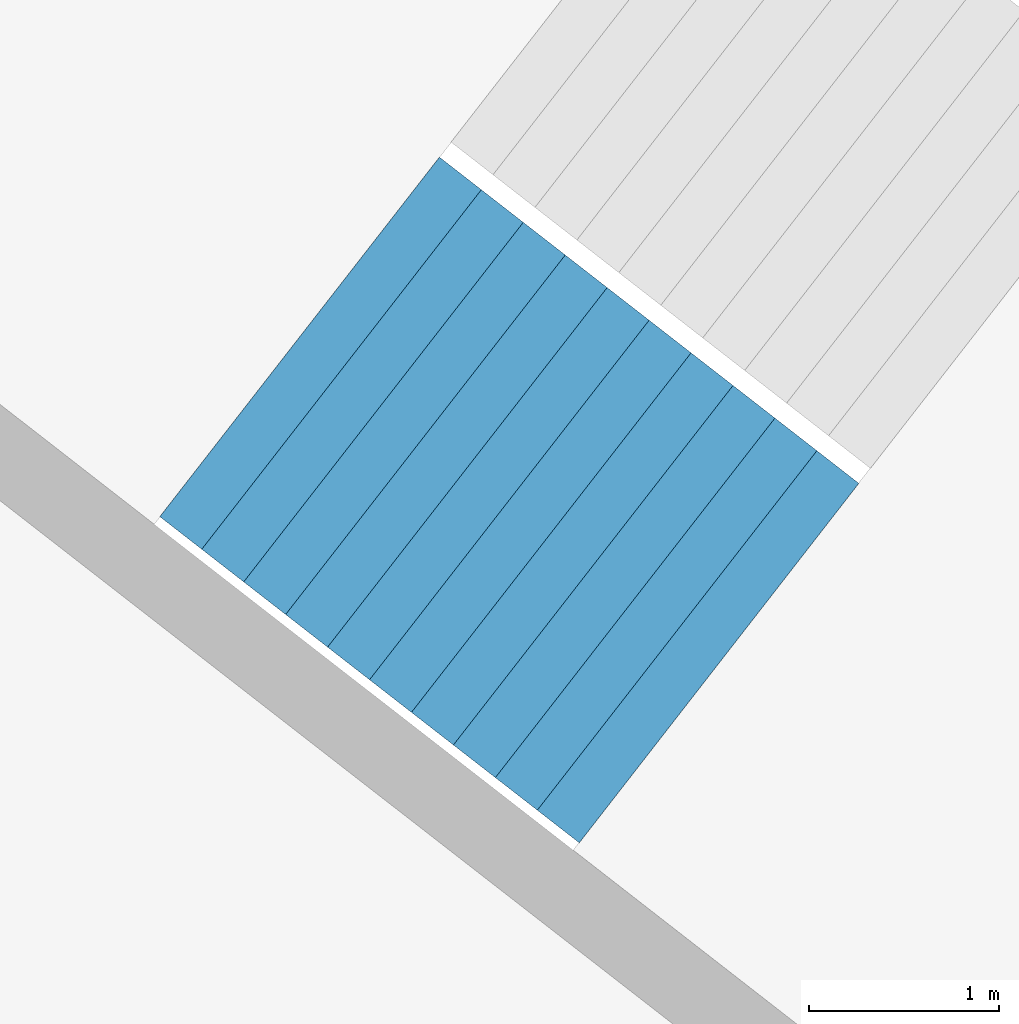
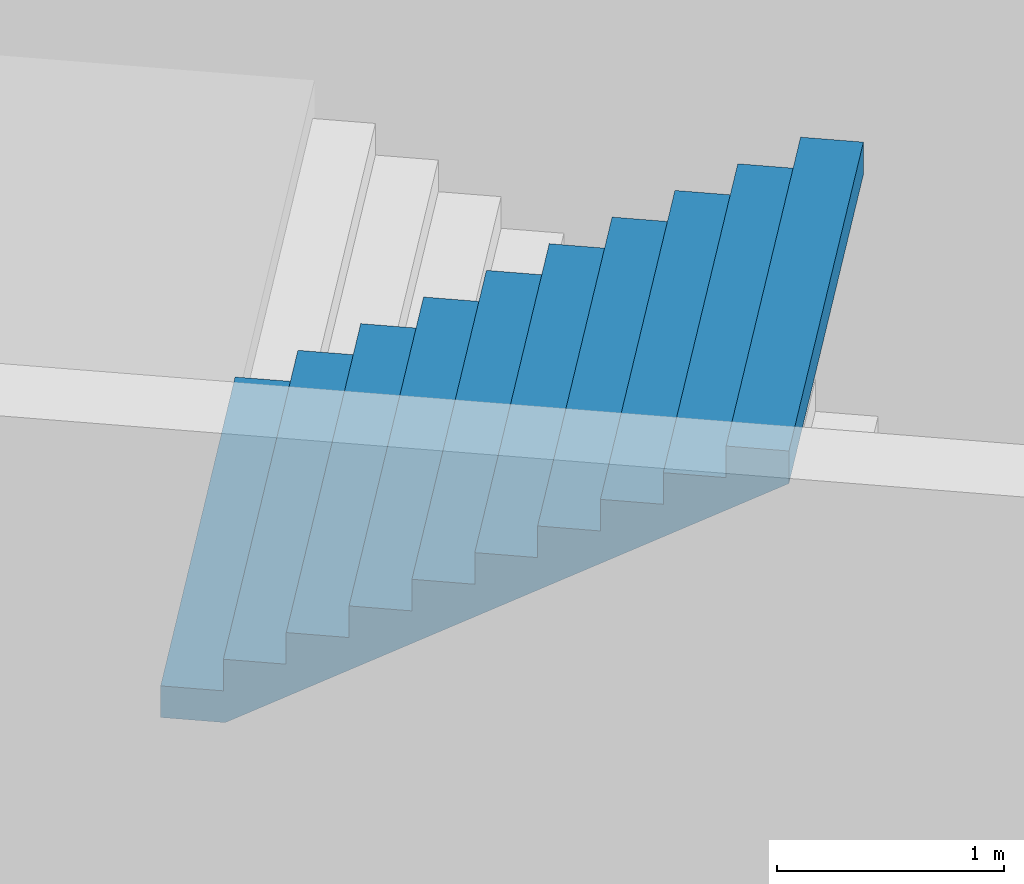
# One storey, part 38 of 73: 1 stair flight, 1 element without a shape of its own.
"""IFC4 building model written with IfcOpenShell, lengths in metres."""

import ifcopenshell
import ifcopenshell.guid

model = None  # the IFC model being written
_history = None  # IfcOwnerHistory: only IFC2X3 demands one
_inside = {}  # id of a spatial element -> (the spatial element, [elements in it])
_under = {}  # id of a project, library or spatial element -> (it, [spatial elements below it])
_declared = {}  # id of a project -> (the project, [libraries it declares])
_typed = {}  # id of a type object -> (the type object, [elements of that type])
_made_of = {}  # id of a material, layer set ... -> (it, [elements and type objects made of it])


def new_model(schema):
    """Start an empty IFC model of exactly this schema.

    Asked for "IFC4X3", IfcOpenShell would pick the latest addendum, in which some entities
    have other attributes; the version numbers below select the first issue.
    IFC2X3 requires an IfcOwnerHistory on every rooted entity: one is made here for all.
    """
    global model, _history
    if schema == "IFC4X3":
        model = ifcopenshell.file(schema_version=(4, 3, 0, 0))
    else:
        model = ifcopenshell.file(schema=schema)
    _inside.clear()
    _under.clear()
    _declared.clear()
    _typed.clear()
    _made_of.clear()
    _history = None
    if model.schema == "IFC2X3":
        org = make("IfcOrganization", Name="unknown")
        user = make(
            "IfcPersonAndOrganization",
            ThePerson=make("IfcPerson", FamilyName="unknown"),
            TheOrganization=org,
        )
        app = make(
            "IfcApplication",
            ApplicationDeveloper=org,
            Version="unknown",
            ApplicationFullName="unknown",
            ApplicationIdentifier="unknown",
        )
        _history = make(
            "IfcOwnerHistory",
            OwningUser=user,
            OwningApplication=app,
            ChangeAction="ADDED",
            CreationDate=0,
        )
    return model


def make(cls, **values):
    """One entity of the class cls with the attributes given. An attribute that is None is left unset."""
    return model.create_entity(
        cls, **{name: value for name, value in values.items() if value is not None}
    )


def rooted(cls, **values):
    """An entity with a GlobalId (a new one), such as an element, a storey or a relation."""
    return make(cls, GlobalId=ifcopenshell.guid.new(), OwnerHistory=_history, **values)


def si_unit(unit_type, name, prefix=None):
    """IfcSIUnit, for example si_unit("LENGTHUNIT", "METRE", prefix="MILLI")."""
    return make("IfcSIUnit", UnitType=unit_type, Prefix=prefix, Name=name)


def assignment(units):
    """IfcUnitAssignment: the units of a project."""
    return None if units is None else make("IfcUnitAssignment", Units=units)


def point(xyz):
    """IfcCartesianPoint."""
    return None if xyz is None else make("IfcCartesianPoint", Coordinates=xyz)


def direction(xyz):
    """IfcDirection."""
    return None if xyz is None else make("IfcDirection", DirectionRatios=xyz)


def frame(location, z_axis=None, x_axis=None):
    """IfcAxis2Placement3D, a coordinate frame: its origin and axes. An axis left out is left unset."""
    return make(
        "IfcAxis2Placement3D",
        Location=point(location),
        Axis=direction(z_axis),
        RefDirection=direction(x_axis),
    )


def origin():
    """The frame at (0, 0, 0) with its axes left unset."""
    return frame((0.0, 0.0, 0.0))


def place(relative_to, where):
    """IfcLocalPlacement: puts the frame where relative to a parent placement (None: the world)."""
    return make(
        "IfcLocalPlacement", PlacementRelTo=relative_to, RelativePlacement=where
    )


def context(
    kind, dimensions, precision=None, world=None, true_north=None, identifier=None
):
    """IfcGeometricRepresentationContext, for example the 3D "Model" context."""
    return make(
        "IfcGeometricRepresentationContext",
        ContextIdentifier=identifier,
        ContextType=kind,
        CoordinateSpaceDimension=dimensions,
        Precision=precision,
        WorldCoordinateSystem=world,
        TrueNorth=true_north,
    )


def subcontext(parent, identifier, kind, view, scale=None):
    """IfcGeometricRepresentationSubContext, for example "Body" below "Model"."""
    return make(
        "IfcGeometricRepresentationSubContext",
        ContextIdentifier=identifier,
        ContextType=kind,
        ParentContext=parent,
        TargetScale=scale,
        TargetView=view,
    )


def project(units=None, contexts=None):
    """IfcProject with its units and contexts."""
    return rooted(
        "IfcProject",
        Name="project",
        RepresentationContexts=contexts,
        UnitsInContext=assignment(units),
    )


def spatial(cls, under=None, at=None, **own):
    """A site, building, storey or space (cls), placed at a placement, below another one or the project."""
    s = rooted(cls, ObjectPlacement=at, **own)
    if under is not None:
        _under.setdefault(under.id(), (under, []))[1].append(s)
    return s


def point_list(points):
    """IfcCartesianPointList2D or 3D."""
    cls = (
        "IfcCartesianPointList2D" if len(points[0]) == 2 else "IfcCartesianPointList3D"
    )
    return make(cls, CoordList=points)


def triangles(points, corners, closed=None, point_numbers=None):
    """IfcTriangulatedFaceSet: each triangle names its three corners, points numbered from 1."""
    return make(
        "IfcTriangulatedFaceSet",
        Coordinates=point_list(points),
        Closed=closed,
        CoordIndex=corners,
        PnIndex=point_numbers,
    )


def shape(context_of_items, identifier, shape_type, items):
    """IfcShapeRepresentation: the items that make up one representation, for example the "Body"."""
    return make(
        "IfcShapeRepresentation",
        ContextOfItems=context_of_items,
        RepresentationIdentifier=identifier,
        RepresentationType=shape_type,
        Items=items,
    )


def material(Name=None, Category=None):
    """IfcMaterial."""
    return make("IfcMaterial", Name=Name, Category=Category)


def made_of(thing, what):
    """Note that an element or type object is made of a material, layer set ...; save() writes the relation."""
    if what is not None:
        _made_of.setdefault(what.id(), (what, []))[1].append(thing)
    return thing


def type_object(cls, material=None, **own):
    """A type object (cls), such as IfcWallType, which elements share."""
    return made_of(rooted(cls, **own), material)


def element(
    cls,
    number,
    at=None,
    inside=None,
    cuts=None,
    type_object=None,
    material=None,
    context=None,
    identifier="Body",
    shape_type=None,
    held_by="IfcProductDefinitionShape",
    body=None,
    shapes=None,
    **own,
):
    """One element of the class cls, such as IfcWall. Its Tag is "e" and its number.

    at: its placement. inside: the storey or other place that contains it. cuts: it is an
    opening in that element (IfcRelVoidsElement). A single representation is given by context,
    identifier, shape_type and body (its items); several are given by shapes. held_by: the class
    of the entity that holds the representations. save() writes the other relations.
    """
    e = rooted(cls, Tag="e%d" % number, ObjectPlacement=at, **own)
    if body is not None:
        shapes = [shape(context, identifier, shape_type, body)]
    if shapes is not None:
        e.Representation = make(held_by, Representations=shapes)
    if inside is not None:
        _inside.setdefault(inside.id(), (inside, []))[1].append(e)
    if cuts is not None:
        rooted(
            "IfcRelVoidsElement", RelatingBuildingElement=cuts, RelatedOpeningElement=e
        )
    if type_object is not None:
        _typed.setdefault(type_object.id(), (type_object, []))[1].append(e)
    return made_of(e, material)


def aggregate(whole, parts):
    """IfcRelAggregates: a whole, such as a stair, and the parts it consists of."""
    return rooted("IfcRelAggregates", RelatingObject=whole, RelatedObjects=parts)


def save(model, path):
    """Write the relations noted so far, then the file.

    IfcRelAggregates (storeys below a building ...), IfcRelContainedInSpatialStructure (elements
    in a storey), IfcRelDefinesByType, IfcRelAssociatesMaterial and IfcRelDeclares: one each for
    every whole, place, type object, material and project.
    """
    for whole, parts in _under.values():
        aggregate(whole, parts)
    for where, things in _inside.values():
        rooted(
            "IfcRelContainedInSpatialStructure",
            RelatedElements=things,
            RelatingStructure=where,
        )
    for kind, things in _typed.values():
        rooted("IfcRelDefinesByType", RelatedObjects=things, RelatingType=kind)
    for what, things in _made_of.values():
        rooted("IfcRelAssociatesMaterial", RelatedObjects=things, RelatingMaterial=what)
    for by, libraries in _declared.values():
        rooted("IfcRelDeclares", RelatingContext=by, RelatedDefinitions=libraries)
    model.write(path)


model = new_model("IFC4")

# Units and contexts
model_context = context("Model", 3, precision=1e-05, world=origin(), true_north=direction((0.0, 1.0)))
body_context = subcontext(model_context, "Body", "Model", "MODEL_VIEW")
ifc_project = project(units=[si_unit("LENGTHUNIT", "METRE"), si_unit("AREAUNIT", "SQUARE_METRE"), si_unit("VOLUMEUNIT", "CUBIC_METRE"), si_unit("PLANEANGLEUNIT", "RADIAN"), si_unit("MASSUNIT", "GRAM", prefix="KILO")], contexts=[model_context])

# Site, building, storey
site_placement = place(None, origin())
site = spatial("IfcSite", under=ifc_project, at=site_placement, CompositionType="ELEMENT")
building_placement = place(site_placement, origin())
building = spatial("IfcBuilding", under=site, at=building_placement, Name="Lantaw Convention Tower", CompositionType="ELEMENT")
storey_placement = place(building_placement, frame((0.0, 0.0, 14.5)))
storey = spatial("IfcBuildingStorey", under=building, at=storey_placement, Name="L02", CompositionType="ELEMENT", Elevation=14.5)

# Stair, stair flight
ifc_material = material(Name="Concrete C35/45", Category="concrete")
stair_type = type_object("IfcStairType", Name="Exit stair 2400 riser 170.45 in 4 flights", PredefinedType="HALF_TURN_STAIR", material=ifc_material)
stair_placement = place(storey_placement, origin())
stair = element("IfcStair", 1, at=stair_placement, inside=storey, type_object=stair_type, Name="Podium exit stair P7 L02", PredefinedType="HALF_TURN_STAIR")
stair_flight_type = type_object("IfcStairFlightType", Name="Stair flight 2400 riser 170.45", PredefinedType="STRAIGHT", material=ifc_material)
stair_flight_placement = place(storey_placement, frame((-31.70458984375, 23.073486328125, 5.625), z_axis=(0.0, 0.0, 1.0), x_axis=(0.789378829664, -0.613906396186, 0.0)))
stair_flight = element("IfcStairFlight", 2, at=stair_flight_placement, type_object=stair_flight_type, Name="P7 flight 4", NumberOfRisers=11, NumberOfTreads=10, PredefinedType="STRAIGHT", RiserHeight=0.170454545, TreadLength=0.28, context=body_context, shape_type="Tessellation", body=[
    triangles([(0.0, 1.199951171875, 0.0), (0.0, 1.199951171875, 0.170454545), (0.28, 1.199951171875, 0.0), (0.28, 1.199951171875, 0.170454545), (0.28, 1.199951171875, 0.34090909), (0.28827876332691904, 1.199951171875, 0.0), (0.28827876332691904, 1.199951171875, 0.34090909), (0.56, 1.199951171875, 0.16541471344266906), (0.56, 1.199951171875, 0.34090909), (0.56, 1.199951171875, 0.511363635), (0.8400000000000001, 1.199951171875, 0.335869258442669), (0.8400000000000001, 1.199951171875, 0.511363635), (0.8400000000000001, 1.199951171875, 0.68181818), (1.12, 1.199951171875, 0.506323803442669), (1.12, 1.199951171875, 0.68181818), (1.12, 1.199951171875, 0.8522727250000001), (1.4000000000000001, 1.199951171875, 0.676778348442669), (1.4000000000000001, 1.199951171875, 0.8522727250000001), (1.4000000000000001, 1.199951171875, 1.02272727), (1.6800000000000002, 1.199951171875, 0.847232893442669), (1.6800000000000002, 1.199951171875, 1.02272727), (1.6800000000000002, 1.199951171875, 1.193181815), (1.9600000000000002, 1.199951171875, 1.017687438442669), (1.9600000000000002, 1.199951171875, 1.193181815), (1.9600000000000002, 1.199951171875, 1.36363636), (2.24, 1.199951171875, 1.188141983442669), (2.24, 1.199951171875, 1.36363636), (2.24, 1.199951171875, 1.5340909050000002), (2.5200000000000005, 1.199951171875, 1.358596528442669), (2.5200000000000005, 1.199951171875, 1.5340909050000002), (2.5200000000000005, 1.199951171875, 1.7045454500000001), (2.8000000000000003, 1.199951171875, 1.529051073442669), (2.8000000000000003, 1.199951171875, 1.7045454500000001), (0.0, -1.199951171875, 0.0), (0.0, -1.199951171875, 0.170454545), (0.28, -1.199951171875, 0.0), (0.28, -1.199951171875, 0.170454545), (0.28, -1.199951171875, 0.34090909), (0.28827876332691904, -1.199951171875, 0.0), (0.28827876332691904, -1.199951171875, 0.34090909), (0.56, -1.199951171875, 0.16541471344266906), (0.56, -1.199951171875, 0.34090909), (0.56, -1.199951171875, 0.511363635), (0.8400000000000001, -1.199951171875, 0.335869258442669), (0.8400000000000001, -1.199951171875, 0.511363635), (0.8400000000000001, -1.199951171875, 0.68181818), (1.12, -1.199951171875, 0.506323803442669), (1.12, -1.199951171875, 0.68181818), (1.12, -1.199951171875, 0.8522727250000001), (1.4000000000000001, -1.199951171875, 0.676778348442669), (1.4000000000000001, -1.199951171875, 0.8522727250000001), (1.4000000000000001, -1.199951171875, 1.02272727), (1.6800000000000002, -1.199951171875, 0.847232893442669), (1.6800000000000002, -1.199951171875, 1.02272727), (1.6800000000000002, -1.199951171875, 1.193181815), (1.9600000000000002, -1.199951171875, 1.017687438442669), (1.9600000000000002, -1.199951171875, 1.193181815), (1.9600000000000002, -1.199951171875, 1.36363636), (2.24, -1.199951171875, 1.188141983442669), (2.24, -1.199951171875, 1.36363636), (2.24, -1.199951171875, 1.5340909050000002), (2.5200000000000005, -1.199951171875, 1.358596528442669), (2.5200000000000005, -1.199951171875, 1.5340909050000002), (2.5200000000000005, -1.199951171875, 1.7045454500000001), (2.8000000000000003, -1.199951171875, 1.529051073442669), (2.8000000000000003, -1.199951171875, 1.7045454500000001), (0.0, 0.239990234375, 0.170454545), (0.0, 0.239990234375, 0.0), (0.0, 0.1199951171875, 0.170454545), (0.0, 0.1199951171875, 0.0), (0.0, 0.0, 0.170454545), (0.0, 0.0, 0.0), (0.0, -0.1199951171875, 0.170454545), (0.0, -0.1199951171875, 0.0), (0.0, -0.239990234375, 0.170454545), (0.0, -0.239990234375, 0.0), (0.28, 0.239990234375, 0.34090909), (0.28, 0.239990234375, 0.170454545), (0.28, 0.1199951171875, 0.34090909), (0.28, 0.1199951171875, 0.170454545), (0.28, 0.0, 0.34090909), (0.28, 0.0, 0.170454545), (0.28, -0.1199951171875, 0.34090909), (0.28, -0.1199951171875, 0.170454545), (0.28, -0.239990234375, 0.34090909), (0.28, -0.239990234375, 0.170454545), (0.56, 0.239990234375, 0.511363635), (0.56, 0.239990234375, 0.34090909), (0.56, 0.1199951171875, 0.511363635), (0.56, 0.1199951171875, 0.34090909), (0.56, 0.0, 0.511363635), (0.56, 0.0, 0.34090909), (0.56, -0.1199951171875, 0.511363635), (0.56, -0.1199951171875, 0.34090909), (0.56, -0.239990234375, 0.511363635), (0.56, -0.239990234375, 0.34090909), (0.8400000000000001, 0.239990234375, 0.68181818), (0.8400000000000001, 0.239990234375, 0.511363635), (0.8400000000000001, 0.1199951171875, 0.68181818), (0.8400000000000001, 0.1199951171875, 0.511363635), (0.8400000000000001, 0.0, 0.68181818), (0.8400000000000001, 0.0, 0.511363635), (0.8400000000000001, -0.1199951171875, 0.68181818), (0.8400000000000001, -0.1199951171875, 0.511363635), (0.8400000000000001, -0.239990234375, 0.68181818), (0.8400000000000001, -0.239990234375, 0.511363635), (1.12, 0.239990234375, 0.8522727250000001), (1.12, 0.239990234375, 0.68181818), (1.12, 0.1199951171875, 0.8522727250000001), (1.12, 0.1199951171875, 0.68181818), (1.12, 0.0, 0.8522727250000001), (1.12, 0.0, 0.68181818), (1.12, -0.1199951171875, 0.8522727250000001), (1.12, -0.1199951171875, 0.68181818), (1.12, -0.239990234375, 0.8522727250000001), (1.12, -0.239990234375, 0.68181818), (1.4000000000000001, 0.239990234375, 1.02272727), (1.4000000000000001, 0.239990234375, 0.8522727250000001), (1.4000000000000001, 0.1199951171875, 1.02272727), (1.4000000000000001, 0.1199951171875, 0.8522727250000001), (1.4000000000000001, 0.0, 1.02272727), (1.4000000000000001, 0.0, 0.8522727250000001), (1.4000000000000001, -0.1199951171875, 1.02272727), (1.4000000000000001, -0.1199951171875, 0.8522727250000001), (1.4000000000000001, -0.239990234375, 1.02272727), (1.4000000000000001, -0.239990234375, 0.8522727250000001), (1.6800000000000002, 0.239990234375, 1.193181815), (1.6800000000000002, 0.239990234375, 1.02272727), (1.6800000000000002, 0.1199951171875, 1.193181815), (1.6800000000000002, 0.1199951171875, 1.02272727), (1.6800000000000002, 0.0, 1.193181815), (1.6800000000000002, 0.0, 1.02272727), (1.6800000000000002, -0.1199951171875, 1.193181815), (1.6800000000000002, -0.1199951171875, 1.02272727), (1.6800000000000002, -0.239990234375, 1.193181815), (1.6800000000000002, -0.239990234375, 1.02272727), (1.9600000000000002, 0.239990234375, 1.36363636), (1.9600000000000002, 0.239990234375, 1.193181815), (1.9600000000000002, 0.1199951171875, 1.36363636), (1.9600000000000002, 0.1199951171875, 1.193181815), (1.9600000000000002, 0.0, 1.36363636), (1.9600000000000002, 0.0, 1.193181815), (1.9600000000000002, -0.1199951171875, 1.36363636), (1.9600000000000002, -0.1199951171875, 1.193181815), (1.9600000000000002, -0.239990234375, 1.36363636), (1.9600000000000002, -0.239990234375, 1.193181815), (2.24, 0.239990234375, 1.5340909050000002), (2.24, 0.239990234375, 1.36363636), (2.24, 0.1199951171875, 1.5340909050000002), (2.24, 0.1199951171875, 1.36363636), (2.24, 0.0, 1.5340909050000002), (2.24, 0.0, 1.36363636), (2.24, -0.1199951171875, 1.5340909050000002), (2.24, -0.1199951171875, 1.36363636), (2.24, -0.239990234375, 1.5340909050000002), (2.24, -0.239990234375, 1.36363636), (2.5200000000000005, 0.239990234375, 1.7045454500000001), (2.5200000000000005, 0.239990234375, 1.5340909050000002), (2.5200000000000005, 0.1199951171875, 1.7045454500000001), (2.5200000000000005, 0.1199951171875, 1.5340909050000002), (2.5200000000000005, 0.0, 1.7045454500000001), (2.5200000000000005, 0.0, 1.5340909050000002), (2.5200000000000005, -0.1199951171875, 1.7045454500000001), (2.5200000000000005, -0.1199951171875, 1.5340909050000002), (2.5200000000000005, -0.239990234375, 1.7045454500000001), (2.5200000000000005, -0.239990234375, 1.5340909050000002), (0.28827876332691904, 0.239990234375, 0.34090909), (0.28827876332691904, 0.1199951171875, 0.34090909), (0.28827876332691904, 0.0, 0.34090909), (0.28827876332691904, -0.1199951171875, 0.34090909), (0.28827876332691904, -0.239990234375, 0.34090909), (2.8000000000000003, 0.239990234375, 1.7045454500000001), (2.8000000000000003, 0.1199951171875, 1.7045454500000001), (2.8000000000000003, 0.0, 1.7045454500000001), (2.8000000000000003, -0.1199951171875, 1.7045454500000001), (2.8000000000000003, -0.239990234375, 1.7045454500000001), (2.8000000000000003, 0.239990234375, 1.5290510734426692), (2.8000000000000003, 0.1199951171875, 1.5290510734426692), (2.8000000000000003, 0.0, 1.5290510734426692), (2.8000000000000003, -0.1199951171875, 1.5290510734426692), (2.8000000000000003, -0.239990234375, 1.5290510734426692), (2.5200000000000005, 0.239990234375, 1.358596528442669), (2.5200000000000005, 0.1199951171875, 1.358596528442669), (2.5200000000000005, 0.0, 1.358596528442669), (2.5200000000000005, -0.1199951171875, 1.358596528442669), (2.5200000000000005, -0.239990234375, 1.358596528442669), (2.24, 0.239990234375, 1.188141983442669), (2.24, 0.1199951171875, 1.188141983442669), (2.24, 0.0, 1.188141983442669), (2.24, -0.1199951171875, 1.188141983442669), (2.24, -0.239990234375, 1.188141983442669), (1.9600000000000002, 0.239990234375, 1.017687438442669), (1.9600000000000002, 0.1199951171875, 1.017687438442669), (1.9600000000000002, 0.0, 1.017687438442669), (1.9600000000000002, -0.1199951171875, 1.017687438442669), (1.9600000000000002, -0.239990234375, 1.017687438442669), (1.6800000000000002, 0.239990234375, 0.847232893442669), (1.6800000000000002, 0.1199951171875, 0.847232893442669), (1.6800000000000002, 0.0, 0.847232893442669), (1.6800000000000002, -0.1199951171875, 0.847232893442669), (1.6800000000000002, -0.239990234375, 0.847232893442669), (1.4000000000000001, 0.239990234375, 0.676778348442669), (1.4000000000000001, 0.1199951171875, 0.676778348442669), (1.4000000000000001, 0.0, 0.676778348442669), (1.4000000000000001, -0.1199951171875, 0.676778348442669), (1.4000000000000001, -0.239990234375, 0.676778348442669), (1.12, 0.239990234375, 0.506323803442669), (1.12, 0.1199951171875, 0.506323803442669), (1.12, 0.0, 0.506323803442669), (1.12, -0.1199951171875, 0.506323803442669), (1.12, -0.239990234375, 0.506323803442669), (0.8400000000000001, 0.239990234375, 0.335869258442669), (0.8400000000000001, 0.1199951171875, 0.335869258442669), (0.8400000000000001, 0.0, 0.335869258442669), (0.8400000000000001, -0.1199951171875, 0.335869258442669), (0.8400000000000001, -0.239990234375, 0.335869258442669), (0.56, 0.239990234375, 0.16541471344266906), (0.56, 0.1199951171875, 0.16541471344266906), (0.56, 0.0, 0.16541471344266906), (0.56, -0.1199951171875, 0.16541471344266906), (0.56, -0.239990234375, 0.16541471344266906), (0.28827876332691904, 0.239990234375, 0.0), (0.28827876332691904, 0.1199951171875, 0.0), (0.28827876332691904, 0.0, 0.0), (0.28827876332691904, -0.1199951171875, 0.0), (0.28827876332691904, -0.239990234375, 0.0), (0.28, 0.239990234375, 0.0), (0.28, 0.1199951171875, 0.0), (0.28, 0.0, 0.0), (0.28, -0.1199951171875, 0.0), (0.28, -0.239990234375, 0.0)], [[1, 4, 3], [1, 2, 4], [3, 4, 6], [4, 7, 6], [4, 5, 7], [6, 9, 8], [6, 7, 9], [8, 9, 11], [9, 12, 11], [9, 10, 12], [11, 12, 14], [12, 15, 14], [12, 13, 15], [14, 15, 17], [15, 18, 17], [15, 16, 18], [17, 18, 20], [18, 21, 20], [18, 19, 21], [20, 21, 23], [21, 24, 23], [21, 22, 24], [23, 24, 26], [24, 27, 26], [24, 25, 27], [26, 27, 29], [27, 30, 29], [27, 28, 30], [29, 30, 32], [30, 33, 32], [30, 31, 33], [34, 36, 37], [34, 37, 35], [36, 39, 37], [37, 39, 40], [37, 40, 38], [39, 41, 42], [39, 42, 40], [41, 44, 42], [42, 44, 45], [42, 45, 43], [44, 47, 45], [45, 47, 48], [45, 48, 46], [47, 50, 48], [48, 50, 51], [48, 51, 49], [50, 53, 51], [51, 53, 54], [51, 54, 52], [53, 56, 54], [54, 56, 57], [54, 57, 55], [56, 59, 57], [57, 59, 60], [57, 60, 58], [59, 62, 60], [60, 62, 63], [60, 63, 61], [62, 65, 63], [63, 65, 66], [63, 66, 64], [1, 67, 2], [1, 68, 67], [68, 69, 67], [68, 70, 69], [70, 71, 69], [70, 72, 71], [72, 73, 71], [72, 74, 73], [74, 75, 73], [74, 76, 75], [76, 35, 75], [76, 34, 35], [4, 77, 5], [4, 78, 77], [78, 79, 77], [78, 80, 79], [80, 81, 79], [80, 82, 81], [82, 83, 81], [82, 84, 83], [84, 85, 83], [84, 86, 85], [86, 38, 85], [86, 37, 38], [9, 87, 10], [9, 88, 87], [88, 89, 87], [88, 90, 89], [90, 91, 89], [90, 92, 91], [92, 93, 91], [92, 94, 93], [94, 95, 93], [94, 96, 95], [96, 43, 95], [96, 42, 43], [12, 97, 13], [12, 98, 97], [98, 99, 97], [98, 100, 99], [100, 101, 99], [100, 102, 101], [102, 103, 101], [102, 104, 103], [104, 105, 103], [104, 106, 105], [106, 46, 105], [106, 45, 46], [15, 107, 16], [15, 108, 107], [108, 109, 107], [108, 110, 109], [110, 111, 109], [110, 112, 111], [112, 113, 111], [112, 114, 113], [114, 115, 113], [114, 116, 115], [116, 49, 115], [116, 48, 49], [18, 117, 19], [18, 118, 117], [118, 119, 117], [118, 120, 119], [120, 121, 119], [120, 122, 121], [122, 123, 121], [122, 124, 123], [124, 125, 123], [124, 126, 125], [126, 52, 125], [126, 51, 52], [21, 127, 22], [21, 128, 127], [128, 129, 127], [128, 130, 129], [130, 131, 129], [130, 132, 131], [132, 133, 131], [132, 134, 133], [134, 135, 133], [134, 136, 135], [136, 55, 135], [136, 54, 55], [24, 137, 25], [24, 138, 137], [138, 139, 137], [138, 140, 139], [140, 141, 139], [140, 142, 141], [142, 143, 141], [142, 144, 143], [144, 145, 143], [144, 146, 145], [146, 58, 145], [146, 57, 58], [27, 147, 28], [27, 148, 147], [148, 149, 147], [148, 150, 149], [150, 151, 149], [150, 152, 151], [152, 153, 151], [152, 154, 153], [154, 155, 153], [154, 156, 155], [156, 61, 155], [156, 60, 61], [30, 157, 31], [30, 158, 157], [158, 159, 157], [158, 160, 159], [160, 161, 159], [160, 162, 161], [162, 163, 161], [162, 164, 163], [164, 165, 163], [164, 166, 165], [166, 64, 165], [166, 63, 64], [2, 78, 4], [2, 67, 78], [67, 80, 78], [67, 69, 80], [69, 82, 80], [69, 71, 82], [71, 84, 82], [71, 73, 84], [73, 86, 84], [73, 75, 86], [75, 37, 86], [75, 35, 37], [5, 167, 7], [5, 77, 167], [77, 168, 167], [77, 79, 168], [79, 169, 168], [79, 81, 169], [81, 170, 169], [81, 83, 170], [83, 171, 170], [83, 85, 171], [85, 40, 171], [85, 38, 40], [7, 88, 9], [7, 167, 88], [167, 90, 88], [167, 168, 90], [168, 92, 90], [168, 169, 92], [169, 94, 92], [169, 170, 94], [170, 96, 94], [170, 171, 96], [171, 42, 96], [171, 40, 42], [10, 98, 12], [10, 87, 98], [87, 100, 98], [87, 89, 100], [89, 102, 100], [89, 91, 102], [91, 104, 102], [91, 93, 104], [93, 106, 104], [93, 95, 106], [95, 45, 106], [95, 43, 45], [13, 108, 15], [13, 97, 108], [97, 110, 108], [97, 99, 110], [99, 112, 110], [99, 101, 112], [101, 114, 112], [101, 103, 114], [103, 116, 114], [103, 105, 116], [105, 48, 116], [105, 46, 48], [16, 118, 18], [16, 107, 118], [107, 120, 118], [107, 109, 120], [109, 122, 120], [109, 111, 122], [111, 124, 122], [111, 113, 124], [113, 126, 124], [113, 115, 126], [115, 51, 126], [115, 49, 51], [19, 128, 21], [19, 117, 128], [117, 130, 128], [117, 119, 130], [119, 132, 130], [119, 121, 132], [121, 134, 132], [121, 123, 134], [123, 136, 134], [123, 125, 136], [125, 54, 136], [125, 52, 54], [22, 138, 24], [22, 127, 138], [127, 140, 138], [127, 129, 140], [129, 142, 140], [129, 131, 142], [131, 144, 142], [131, 133, 144], [133, 146, 144], [133, 135, 146], [135, 57, 146], [135, 55, 57], [25, 148, 27], [25, 137, 148], [137, 150, 148], [137, 139, 150], [139, 152, 150], [139, 141, 152], [141, 154, 152], [141, 143, 154], [143, 156, 154], [143, 145, 156], [145, 60, 156], [145, 58, 60], [28, 158, 30], [28, 147, 158], [147, 160, 158], [147, 149, 160], [149, 162, 160], [149, 151, 162], [151, 164, 162], [151, 153, 164], [153, 166, 164], [153, 155, 166], [155, 63, 166], [155, 61, 63], [31, 172, 33], [31, 157, 172], [157, 173, 172], [157, 159, 173], [159, 174, 173], [159, 161, 174], [161, 175, 174], [161, 163, 175], [163, 176, 175], [163, 165, 176], [165, 66, 176], [165, 64, 66], [33, 177, 32], [33, 172, 177], [172, 178, 177], [172, 173, 178], [173, 179, 178], [173, 174, 179], [174, 180, 179], [174, 175, 180], [175, 181, 180], [175, 176, 181], [176, 65, 181], [176, 66, 65], [32, 182, 29], [32, 177, 182], [177, 183, 182], [177, 178, 183], [178, 184, 183], [178, 179, 184], [179, 185, 184], [179, 180, 185], [180, 186, 185], [180, 181, 186], [181, 62, 186], [181, 65, 62], [29, 187, 26], [29, 182, 187], [182, 188, 187], [182, 183, 188], [183, 189, 188], [183, 184, 189], [184, 190, 189], [184, 185, 190], [185, 191, 190], [185, 186, 191], [186, 59, 191], [186, 62, 59], [26, 192, 23], [26, 187, 192], [187, 193, 192], [187, 188, 193], [188, 194, 193], [188, 189, 194], [189, 195, 194], [189, 190, 195], [190, 196, 195], [190, 191, 196], [191, 56, 196], [191, 59, 56], [23, 197, 20], [23, 192, 197], [192, 198, 197], [192, 193, 198], [193, 199, 198], [193, 194, 199], [194, 200, 199], [194, 195, 200], [195, 201, 200], [195, 196, 201], [196, 53, 201], [196, 56, 53], [20, 202, 17], [20, 197, 202], [197, 203, 202], [197, 198, 203], [198, 204, 203], [198, 199, 204], [199, 205, 204], [199, 200, 205], [200, 206, 205], [200, 201, 206], [201, 50, 206], [201, 53, 50], [17, 207, 14], [17, 202, 207], [202, 208, 207], [202, 203, 208], [203, 209, 208], [203, 204, 209], [204, 210, 209], [204, 205, 210], [205, 211, 210], [205, 206, 211], [206, 47, 211], [206, 50, 47], [14, 212, 11], [14, 207, 212], [207, 213, 212], [207, 208, 213], [208, 214, 213], [208, 209, 214], [209, 215, 214], [209, 210, 215], [210, 216, 215], [210, 211, 216], [211, 44, 216], [211, 47, 44], [11, 217, 8], [11, 212, 217], [212, 218, 217], [212, 213, 218], [213, 219, 218], [213, 214, 219], [214, 220, 219], [214, 215, 220], [215, 221, 220], [215, 216, 221], [216, 41, 221], [216, 44, 41], [8, 222, 6], [8, 217, 222], [217, 223, 222], [217, 218, 223], [218, 224, 223], [218, 219, 224], [219, 225, 224], [219, 220, 225], [220, 226, 225], [220, 221, 226], [221, 39, 226], [221, 41, 39], [6, 227, 3], [6, 222, 227], [222, 228, 227], [222, 223, 228], [223, 229, 228], [223, 224, 229], [224, 230, 229], [224, 225, 230], [225, 231, 230], [225, 226, 231], [226, 36, 231], [226, 39, 36], [3, 68, 1], [3, 227, 68], [227, 70, 68], [227, 228, 70], [228, 72, 70], [228, 229, 72], [229, 74, 72], [229, 230, 74], [230, 76, 74], [230, 231, 76], [231, 34, 76], [231, 36, 34]], closed=True),
])
aggregate(stair, [stair_flight])

save(model, "model.ifc")
